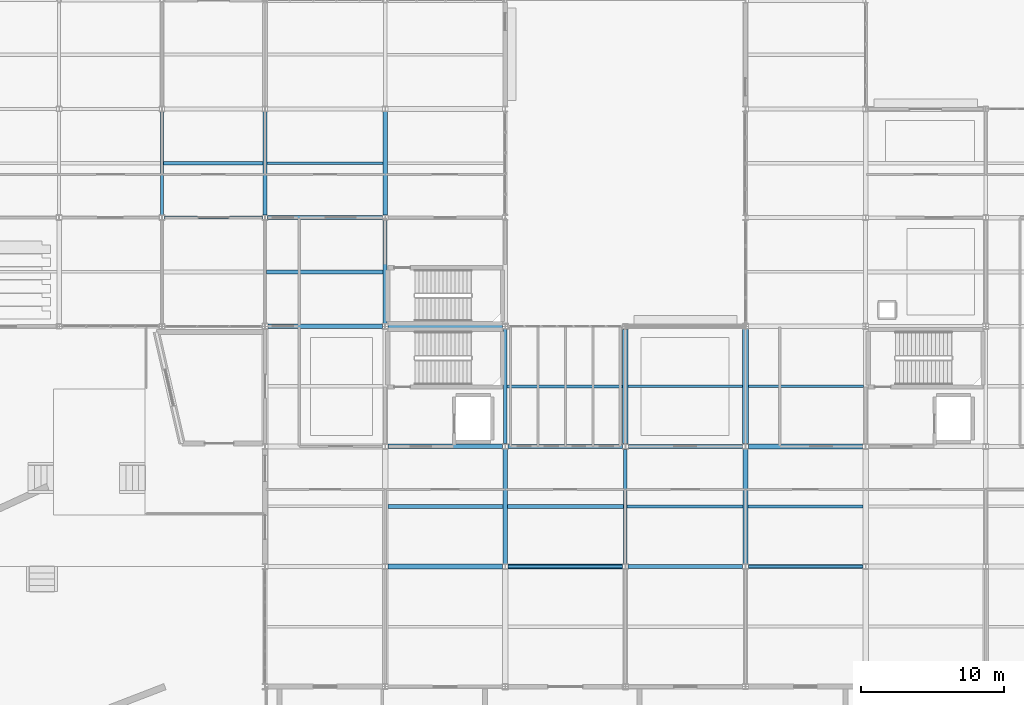
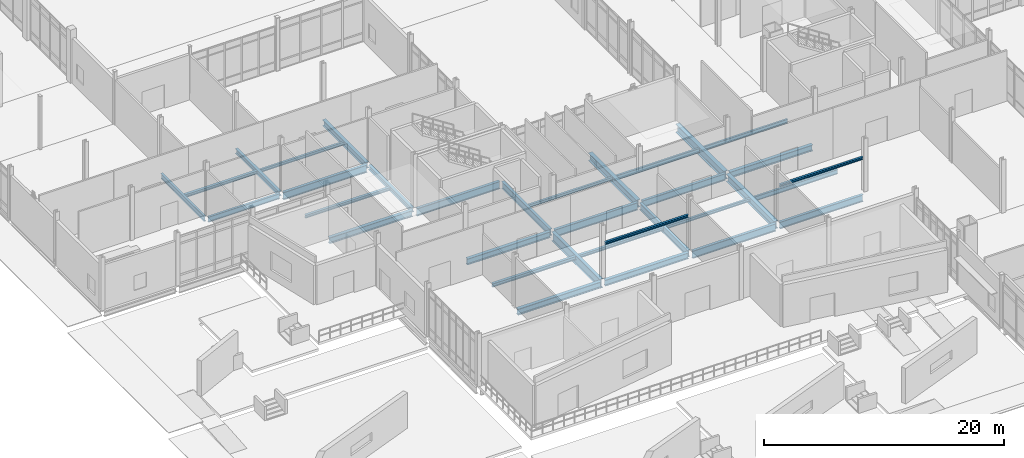
# One storey, part 30 of 229: 34 beams.
"""IFC4 building model written with IfcOpenShell, lengths in metres."""

from ifc_helpers import new_model, si_unit, direction, frame, origin, origin_2d, place, context, subcontext, project, spatial, i_section, extrude, material, material_profile, profile_set, type_object, element, save


model = new_model("IFC4")

# Units and contexts
model_context = context("Model", 3, precision=1e-05, world=origin(), true_north=direction((0.0, 1.0)))
body_context = subcontext(model_context, "Body", "Model", "MODEL_VIEW")
ifc_project = project(units=[si_unit("LENGTHUNIT", "METRE"), si_unit("AREAUNIT", "SQUARE_METRE"), si_unit("VOLUMEUNIT", "CUBIC_METRE"), si_unit("PLANEANGLEUNIT", "RADIAN"), si_unit("MASSUNIT", "GRAM", prefix="KILO")], contexts=[model_context])

# Site, building, storey
site_placement = place(None, origin())
site = spatial("IfcSite", under=ifc_project, at=site_placement, CompositionType="ELEMENT")
building_placement = place(site_placement, origin())
building = spatial("IfcBuilding", under=site, at=building_placement, Name="Calvrana Isthmian Art Gallery", CompositionType="ELEMENT")
storey_placement = place(building_placement, origin())
storey = spatial("IfcBuildingStorey", under=building, at=storey_placement, Name="L00", CompositionType="ELEMENT", Elevation=0.0)

# Beams
ifc_material = material(Name="Steel ASTM A992 Gr 50", Category="steel")
ifc_material_profile_1 = material_profile(ifc_material, i_section(OverallWidth=0.279052734375, OverallDepth=0.4619140625, WebThickness=0.0107421875, FlangeThickness=0.017333984375, FilletRadius=0.02001953125, at=origin_2d()), Name="W18X76")
ifc_profile_set_1 = profile_set([ifc_material_profile_1], Name="Steel ASTM A992 Gr 50")
beam_type_1 = type_object("IfcBeamType", Name="BM-G-W18X76", PredefinedType="BEAM", material=ifc_profile_set_1)
beam_1_placement = place(storey_placement, frame((21.60009765625, 54.577880859375, -0.51611328125), z_axis=(0.0, 1.0, 0.0), x_axis=(-1.0, 0.0, 0.0)))
element("IfcBeam", 1, at=beam_1_placement, inside=storey, type_object=beam_type_1, Name="Girder Y L00 04/H-I", PredefinedType="BEAM", context=body_context, shape_type="SweptSolid", body=[
    extrude(i_section(OverallWidth=0.279052734375, OverallDepth=0.4619140625, WebThickness=0.0107421875, FlangeThickness=0.017333984375, FilletRadius=0.02001953125, at=origin_2d()), origin(), (0.0, 0.0, 1.0), 7.24072265625),
])
beam_2_placement = place(storey_placement, frame((30.0, 47.0029296875, -0.51611328125), z_axis=(0.0, 1.0, 0.0), x_axis=(-1.0, 0.0, 0.0)))
element("IfcBeam", 2, at=beam_2_placement, inside=storey, type_object=beam_type_1, Name="Girder Y L00 05/G-H", PredefinedType="BEAM", context=body_context, shape_type="SweptSolid", body=[
    extrude(i_section(OverallWidth=0.279052734375, OverallDepth=0.4619140625, WebThickness=0.0107421875, FlangeThickness=0.017333984375, FilletRadius=0.02001953125, at=origin_2d()), origin(), (0.0, 0.0, 1.0), 7.21044921875),
])
ifc_material_profile_2 = material_profile(ifc_material, i_section(OverallWidth=0.208984375, OverallDepth=0.532958984375, WebThickness=0.01025390625, FlangeThickness=0.015625, FilletRadius=0.02099609375, at=origin_2d()), Name="W21X62")
ifc_profile_set_2 = profile_set([ifc_material_profile_2], Name="Steel ASTM A992 Gr 50")
beam_type_2 = type_object("IfcBeamType", Name="BM-G-W21X62", PredefinedType="BEAM", material=ifc_profile_set_2)
beam_3_placement = place(storey_placement, frame((14.58544921875, 54.39990234375, -0.551513671875), z_axis=(1.0, 0.0, 0.0), x_axis=(0.0, 1.0, 0.0)))
element("IfcBeam", 3, at=beam_3_placement, inside=storey, type_object=beam_type_2, Name="Girder X L00 03-04/H", PredefinedType="BEAM", context=body_context, shape_type="SweptSolid", body=[
    extrude(i_section(OverallWidth=0.208984375, OverallDepth=0.532958984375, WebThickness=0.01025390625, FlangeThickness=0.015625, FilletRadius=0.02099609375, at=origin_2d()), origin(), (0.0, 0.0, 1.0), 6.83056640625),
])
beam_4_placement = place(storey_placement, frame((14.39990234375, 54.58154296875, -0.551513671875), z_axis=(0.0, 1.0, 0.0), x_axis=(-1.0, 0.0, 0.0)))
element("IfcBeam", 4, at=beam_4_placement, inside=storey, type_object=beam_type_2, Name="Girder Y L00 03/H-I", PredefinedType="BEAM", context=body_context, shape_type="SweptSolid", body=[
    extrude(i_section(OverallWidth=0.208984375, OverallDepth=0.532958984375, WebThickness=0.01025390625, FlangeThickness=0.015625, FilletRadius=0.02099609375, at=origin_2d()), origin(), (0.0, 0.0, 1.0), 7.234375),
])
ifc_material_profile_3 = material_profile(ifc_material, i_section(OverallWidth=0.324951171875, OverallDepth=0.612060546875, WebThickness=0.0126953125, FlangeThickness=0.01904296875, FilletRadius=0.02197265625, at=origin_2d()), Name="W24X104")
ifc_profile_set_3 = profile_set([ifc_material_profile_3], Name="Steel ASTM A992 Gr 50")
beam_type_3 = type_object("IfcBeamType", Name="BM-G-W24X104", PredefinedType="BEAM", material=ifc_profile_set_3)
beam_5_placement = place(storey_placement, frame((38.599609375, 30.0, -0.591064453125), z_axis=(1.0, 0.0, 0.0), x_axis=(0.0, 1.0, 0.0)))
element("IfcBeam", 5, at=beam_5_placement, inside=storey, type_object=beam_type_3, Name="Girder X L00 06-07/E", PredefinedType="BEAM", context=body_context, shape_type="SweptSolid", body=[
    extrude(i_section(OverallWidth=0.324951171875, OverallDepth=0.612060546875, WebThickness=0.0126953125, FlangeThickness=0.01904296875, FilletRadius=0.02197265625, at=origin_2d()), origin(), (0.0, 0.0, 1.0), 8.00244140625),
])
beam_6_placement = place(storey_placement, frame((30.200439453125, 38.39990234375, -0.591064453125), z_axis=(1.0, 0.0, 0.0), x_axis=(0.0, 1.0, 0.0)))
element("IfcBeam", 6, at=beam_6_placement, inside=storey, type_object=beam_type_3, Name="Girder X L00 05-06/F", PredefinedType="BEAM", context=body_context, shape_type="SweptSolid", body=[
    extrude(i_section(OverallWidth=0.324951171875, OverallDepth=0.612060546875, WebThickness=0.0126953125, FlangeThickness=0.01904296875, FilletRadius=0.02197265625, at=origin_2d()), origin(), (0.0, 0.0, 1.0), 8.0),
])
beam_7_placement = place(storey_placement, frame((21.799560546875, 46.800048828125, -0.591064453125), z_axis=(1.0, 0.0, 0.0), x_axis=(0.0, 1.0, 0.0)))
element("IfcBeam", 7, at=beam_7_placement, inside=storey, type_object=beam_type_3, Name="Girder X L00 04-05/G", PredefinedType="BEAM", context=body_context, shape_type="SweptSolid", body=[
    extrude(i_section(OverallWidth=0.324951171875, OverallDepth=0.612060546875, WebThickness=0.0126953125, FlangeThickness=0.01904296875, FilletRadius=0.02197265625, at=origin_2d()), origin(), (0.0, 0.0, 1.0), 7.99853515625),
])
beam_8_placement = place(storey_placement, frame((30.0, 54.58642578125, -0.591064453125), z_axis=(0.0, 1.0, 0.0), x_axis=(-1.0, 0.0, 0.0)))
element("IfcBeam", 8, at=beam_8_placement, inside=storey, type_object=beam_type_3, Name="Girder Y L00 05/H-I", PredefinedType="BEAM", context=body_context, shape_type="SweptSolid", body=[
    extrude(i_section(OverallWidth=0.324951171875, OverallDepth=0.612060546875, WebThickness=0.0126953125, FlangeThickness=0.01904296875, FilletRadius=0.02197265625, at=origin_2d()), origin(), (0.0, 0.0, 1.0), 7.235595703125),
])
ifc_material_profile_4 = material_profile(ifc_material, i_section(OverallWidth=0.327880859375, OverallDepth=0.6220703125, WebThickness=0.015380859375, FlangeThickness=0.0244140625, FilletRadius=0.02197265625, at=origin_2d()), Name="W24X131")
ifc_profile_set_4 = profile_set([ifc_material_profile_4], Name="Steel ASTM A992 Gr 50")
beam_type_4 = type_object("IfcBeamType", Name="BM-G-W24X131", PredefinedType="BEAM", material=ifc_profile_set_4)
beam_9_placement = place(storey_placement, frame((30.1865234375, 30.0, -0.595947265625), z_axis=(1.0, 0.0, 0.0), x_axis=(0.0, 1.0, 0.0)))
element("IfcBeam", 9, at=beam_9_placement, inside=storey, type_object=beam_type_4, Name="Girder X L00 05-06/E", PredefinedType="BEAM", context=body_context, shape_type="SweptSolid", body=[
    extrude(i_section(OverallWidth=0.327880859375, OverallDepth=0.6220703125, WebThickness=0.015380859375, FlangeThickness=0.0244140625, FilletRadius=0.02197265625, at=origin_2d()), origin(), (0.0, 0.0, 1.0), 8.013916015625),
])
beam_10_placement = place(storey_placement, frame((55.3994140625, 38.39990234375, -0.595947265625), z_axis=(1.0, 0.0, 0.0), x_axis=(0.0, 1.0, 0.0)))
element("IfcBeam", 10, at=beam_10_placement, inside=storey, type_object=beam_type_4, Name="Girder X L00 08-09/F", PredefinedType="BEAM", context=body_context, shape_type="SweptSolid", body=[
    extrude(i_section(OverallWidth=0.327880859375, OverallDepth=0.6220703125, WebThickness=0.015380859375, FlangeThickness=0.0244140625, FilletRadius=0.02197265625, at=origin_2d()), origin(), (0.0, 0.0, 1.0), 7.99755859375),
])
ifc_material_profile_5 = material_profile(ifc_material, i_section(OverallWidth=0.257080078125, OverallDepth=0.693115234375, WebThickness=0.014404296875, FlangeThickness=0.023681640625, FilletRadius=0.02392578125, at=origin_2d()), Name="W27X114")
ifc_profile_set_5 = profile_set([ifc_material_profile_5], Name="Steel ASTM A992 Gr 50")
beam_type_5 = type_object("IfcBeamType", Name="BM-G-W27X114", PredefinedType="BEAM", material=ifc_profile_set_5)
for number, where, z_axis, x_axis, name in (
    (11, (55.3994140625, 30.0, -0.631591796875), (1.0, 0.0, 0.0), (0.0, 1.0, 0.0), "Girder X L00 08-09/E"),
    (12, (47.001953125, 38.39990234375, -0.631591796875), (1.0, 0.0, 0.0), (0.0, 1.0, 0.0), "Girder X L00 07-08/F"),
):
    element("IfcBeam", number, at=place(storey_placement, frame(where, z_axis=z_axis, x_axis=x_axis)), inside=storey, type_object=beam_type_5, Name=name, PredefinedType="BEAM", context=body_context, shape_type="SweptSolid", body=[
        extrude(i_section(OverallWidth=0.257080078125, OverallDepth=0.693115234375, WebThickness=0.014404296875, FlangeThickness=0.023681640625, FilletRadius=0.02392578125, at=origin_2d()), origin(), (0.0, 0.0, 1.0), 7.99853515625),
    ])
beam_11_placement = place(storey_placement, frame((38.39990234375, 38.593017578125, -0.631591796875), z_axis=(0.0, 1.0, 0.0), x_axis=(-1.0, 0.0, 0.0)))
element("IfcBeam", 13, at=beam_11_placement, inside=storey, type_object=beam_type_5, Name="Girder Y L00 06/F-G", PredefinedType="BEAM", context=body_context, shape_type="SweptSolid", body=[
    extrude(i_section(OverallWidth=0.257080078125, OverallDepth=0.693115234375, WebThickness=0.014404296875, FlangeThickness=0.023681640625, FilletRadius=0.02392578125, at=origin_2d()), origin(), (0.0, 0.0, 1.0), 8.010009765625),
])
beam_12_placement = place(storey_placement, frame((46.800048828125, 30.1904296875, -0.631591796875), z_axis=(0.0, 1.0, 0.0), x_axis=(-1.0, 0.0, 0.0)))
element("IfcBeam", 14, at=beam_12_placement, inside=storey, type_object=beam_type_5, Name="Girder Y L00 07/E-F", PredefinedType="BEAM", context=body_context, shape_type="SweptSolid", body=[
    extrude(i_section(OverallWidth=0.257080078125, OverallDepth=0.693115234375, WebThickness=0.014404296875, FlangeThickness=0.023681640625, FilletRadius=0.02392578125, at=origin_2d()), origin(), (0.0, 0.0, 1.0), 8.006591796875),
])
ifc_material_profile_6 = material_profile(ifc_material, i_section(OverallWidth=0.26708984375, OverallDepth=0.761962890625, WebThickness=0.014404296875, FlangeThickness=0.021484375, FilletRadius=0.02490234375, at=origin_2d()), Name="W30X116")
ifc_profile_set_6 = profile_set([ifc_material_profile_6], Name="Steel ASTM A992 Gr 50")
beam_type_6 = type_object("IfcBeamType", Name="BM-G-W30X116", PredefinedType="BEAM", material=ifc_profile_set_6)
beam_13_placement = place(storey_placement, frame((46.998046875, 30.0, -0.666015625), z_axis=(1.0, 0.0, 0.0), x_axis=(0.0, 1.0, 0.0)))
element("IfcBeam", 15, at=beam_13_placement, inside=storey, type_object=beam_type_6, Name="Girder X L00 07-08/E", PredefinedType="BEAM", context=body_context, shape_type="SweptSolid", body=[
    extrude(i_section(OverallWidth=0.26708984375, OverallDepth=0.761962890625, WebThickness=0.014404296875, FlangeThickness=0.021484375, FilletRadius=0.02490234375, at=origin_2d()), origin(), (0.0, 0.0, 1.0), 8.00244140625),
])
beam_14_placement = place(storey_placement, frame((38.599609375, 38.39990234375, -0.666015625), z_axis=(1.0, 0.0, 0.0), x_axis=(0.0, 1.0, 0.0)))
element("IfcBeam", 16, at=beam_14_placement, inside=storey, type_object=beam_type_6, Name="Girder X L00 06-07/F", PredefinedType="BEAM", context=body_context, shape_type="SweptSolid", body=[
    extrude(i_section(OverallWidth=0.26708984375, OverallDepth=0.761962890625, WebThickness=0.014404296875, FlangeThickness=0.021484375, FilletRadius=0.02490234375, at=origin_2d()), origin(), (0.0, 0.0, 1.0), 7.998291015625),
])
beam_15_placement = place(storey_placement, frame((30.201904296875, 46.800048828125, -0.666015625), z_axis=(1.0, 0.0, 0.0), x_axis=(0.0, 1.0, 0.0)))
element("IfcBeam", 17, at=beam_15_placement, inside=storey, type_object=beam_type_6, Name="Girder X L00 05-06/G", PredefinedType="BEAM", context=body_context, shape_type="SweptSolid", body=[
    extrude(i_section(OverallWidth=0.26708984375, OverallDepth=0.761962890625, WebThickness=0.014404296875, FlangeThickness=0.021484375, FilletRadius=0.02490234375, at=origin_2d()), origin(), (0.0, 0.0, 1.0), 7.99853515625),
])
beam_16_placement = place(storey_placement, frame((21.783935546875, 54.39990234375, -0.666015625), z_axis=(1.0, 0.0, 0.0), x_axis=(0.0, 1.0, 0.0)))
element("IfcBeam", 18, at=beam_16_placement, inside=storey, type_object=beam_type_6, Name="Girder X L00 04-05/H", PredefinedType="BEAM", context=body_context, shape_type="SweptSolid", body=[
    extrude(i_section(OverallWidth=0.26708984375, OverallDepth=0.761962890625, WebThickness=0.014404296875, FlangeThickness=0.021484375, FilletRadius=0.02490234375, at=origin_2d()), origin(), (0.0, 0.0, 1.0), 8.029541015625),
])
ifc_material_profile_7 = material_profile(ifc_material, i_section(OverallWidth=0.381103515625, OverallDepth=0.77197265625, WebThickness=0.0166015625, FlangeThickness=0.027099609375, FilletRadius=0.02490234375, at=origin_2d()), Name="W30X173")
ifc_profile_set_7 = profile_set([ifc_material_profile_7], Name="Steel ASTM A992 Gr 50")
beam_type_7 = type_object("IfcBeamType", Name="BM-G-W30X173", PredefinedType="BEAM", material=ifc_profile_set_7)
beam_17_placement = place(storey_placement, frame((46.800048828125, 38.60302734375, -0.6708984375), z_axis=(0.0, 1.0, 0.0), x_axis=(-1.0, 0.0, 0.0)))
element("IfcBeam", 19, at=beam_17_placement, inside=storey, type_object=beam_type_7, Name="Girder Y L00 07/F-G", PredefinedType="BEAM", context=body_context, shape_type="SweptSolid", body=[
    extrude(i_section(OverallWidth=0.381103515625, OverallDepth=0.77197265625, WebThickness=0.0166015625, FlangeThickness=0.027099609375, FilletRadius=0.02490234375, at=origin_2d()), origin(), (0.0, 0.0, 1.0), 7.988525390625),
])
beam_18_placement = place(storey_placement, frame((55.199951171875, 30.193115234375, -0.6708984375), z_axis=(0.0, 1.0, 0.0), x_axis=(-1.0, 0.0, 0.0)))
element("IfcBeam", 20, at=beam_18_placement, inside=storey, type_object=beam_type_7, Name="Girder Y L00 08/E-F", PredefinedType="BEAM", context=body_context, shape_type="SweptSolid", body=[
    extrude(i_section(OverallWidth=0.381103515625, OverallDepth=0.77197265625, WebThickness=0.0166015625, FlangeThickness=0.027099609375, FilletRadius=0.02490234375, at=origin_2d()), origin(), (0.0, 0.0, 1.0), 8.009765625),
])
ifc_material_profile_8 = material_profile(ifc_material, i_section(OverallWidth=0.40087890625, OverallDepth=0.85595703125, WebThickness=0.018310546875, FlangeThickness=0.029296875, FilletRadius=0.02587890625, at=origin_2d()), Name="W33X201")
ifc_profile_set_8 = profile_set([ifc_material_profile_8], Name="Steel ASTM A992 Gr 50")
beam_type_8 = type_object("IfcBeamType", Name="BM-G-W33X201", PredefinedType="BEAM", material=ifc_profile_set_8)
beam_19_placement = place(storey_placement, frame((55.199951171875, 38.596923828125, -0.712890625), z_axis=(0.0, 1.0, 0.0), x_axis=(-1.0, 0.0, 0.0)))
element("IfcBeam", 21, at=beam_19_placement, inside=storey, type_object=beam_type_8, Name="Girder Y L00 08/F-G", PredefinedType="BEAM", context=body_context, shape_type="SweptSolid", body=[
    extrude(i_section(OverallWidth=0.40087890625, OverallDepth=0.85595703125, WebThickness=0.018310546875, FlangeThickness=0.029296875, FilletRadius=0.02587890625, at=origin_2d()), origin(), (0.0, 0.0, 1.0), 8.003662109375),
])
ifc_material_profile_9 = material_profile(ifc_material, i_section(OverallWidth=0.306884765625, OverallDepth=0.927001953125, WebThickness=0.019287109375, FlangeThickness=0.031982421875, FilletRadius=0.028076171875, at=origin_2d()), Name="W36X194")
ifc_profile_set_9 = profile_set([ifc_material_profile_9], Name="Steel ASTM A992 Gr 50")
beam_type_9 = type_object("IfcBeamType", Name="BM-G-W36X194", PredefinedType="BEAM", material=ifc_profile_set_9)
beam_20_placement = place(storey_placement, frame((38.39990234375, 30.193115234375, -0.74853515625), z_axis=(0.0, 1.0, 0.0), x_axis=(-1.0, 0.0, 0.0)))
element("IfcBeam", 22, at=beam_20_placement, inside=storey, type_object=beam_type_9, Name="Girder Y L00 06/E-F", PredefinedType="BEAM", context=body_context, shape_type="SweptSolid", body=[
    extrude(i_section(OverallWidth=0.306884765625, OverallDepth=0.927001953125, WebThickness=0.019287109375, FlangeThickness=0.031982421875, FilletRadius=0.028076171875, at=origin_2d()), origin(), (0.0, 0.0, 1.0), 8.013916015625),
])
ifc_material_profile_10 = material_profile(ifc_material, i_section(OverallWidth=0.202880859375, OverallDepth=0.302001953125, WebThickness=0.007568359375, FlangeThickness=0.01318359375, FilletRadius=0.01611328125, at=origin_2d()), Name="W12X40")
ifc_profile_set_10 = profile_set([ifc_material_profile_10], Name="Steel ASTM A992 Gr 50")
beam_type_10 = type_object("IfcBeamType", Name="BM-J-W12X40", PredefinedType="JOIST", material=ifc_profile_set_10)
beam_21_placement = place(storey_placement, frame((21.739501953125, 58.199951171875, -0.43603515625), z_axis=(1.0, 0.0, 0.0), x_axis=(0.0, 1.0, 0.0)))
element("IfcBeam", 23, at=beam_21_placement, inside=storey, type_object=beam_type_10, Name="Composite joist L00 bay 03-07", PredefinedType="JOIST", context=body_context, shape_type="SweptSolid", body=[
    extrude(i_section(OverallWidth=0.202880859375, OverallDepth=0.302001953125, WebThickness=0.007568359375, FlangeThickness=0.01318359375, FilletRadius=0.01611328125, at=origin_2d()), origin(), (0.0, 0.0, 1.0), 8.097900390625),
])
for number, where, z_axis, x_axis, name in (
    (24, (38.528564453125, 42.60009765625, -0.43603515625), (1.0, 0.0, 0.0), (0.0, 1.0, 0.0), "Composite joist L00 bay 05-05"),
    (25, (46.928466796875, 34.199951171875, -0.43603515625), (1.0, 0.0, 0.0), (0.0, 1.0, 0.0), "Composite joist L00 bay 06-04"),
):
    element("IfcBeam", number, at=place(storey_placement, frame(where, z_axis=z_axis, x_axis=x_axis)), inside=storey, type_object=beam_type_10, Name=name, PredefinedType="JOIST", context=body_context, shape_type="SweptSolid", body=[
        extrude(i_section(OverallWidth=0.202880859375, OverallDepth=0.302001953125, WebThickness=0.007568359375, FlangeThickness=0.01318359375, FilletRadius=0.01611328125, at=origin_2d()), origin(), (0.0, 0.0, 1.0), 8.0810546875),
    ])
ifc_material_profile_11 = material_profile(ifc_material, i_section(OverallWidth=0.25390625, OverallDepth=0.306884765625, WebThickness=0.0087890625, FlangeThickness=0.0146484375, FilletRadius=0.01611328125, at=origin_2d()), Name="W12X53")
ifc_profile_set_11 = profile_set([ifc_material_profile_11], Name="Steel ASTM A992 Gr 50")
beam_type_11 = type_object("IfcBeamType", Name="BM-J-W12X53", PredefinedType="JOIST", material=ifc_profile_set_11)
beam_22_placement = place(storey_placement, frame((14.50439453125, 58.199951171875, -0.4384765625), z_axis=(1.0, 0.0, 0.0), x_axis=(0.0, 1.0, 0.0)))
element("IfcBeam", 26, at=beam_22_placement, inside=storey, type_object=beam_type_11, Name="Composite joist L00 bay 02-07", PredefinedType="JOIST", context=body_context, shape_type="SweptSolid", body=[
    extrude(i_section(OverallWidth=0.25390625, OverallDepth=0.306884765625, WebThickness=0.0087890625, FlangeThickness=0.0146484375, FilletRadius=0.01611328125, at=origin_2d()), origin(), (0.0, 0.0, 1.0), 6.9560546875),
])
beam_23_placement = place(storey_placement, frame((21.70458984375, 50.60009765625, -0.4384765625), z_axis=(1.0, 0.0, 0.0), x_axis=(0.0, 1.0, 0.0)))
element("IfcBeam", 27, at=beam_23_placement, inside=storey, type_object=beam_type_11, Name="Composite joist L00 bay 03-06", PredefinedType="JOIST", context=body_context, shape_type="SweptSolid", body=[
    extrude(i_section(OverallWidth=0.25390625, OverallDepth=0.306884765625, WebThickness=0.0087890625, FlangeThickness=0.0146484375, FilletRadius=0.01611328125, at=origin_2d()), origin(), (0.0, 0.0, 1.0), 8.156005859375),
])
beam_24_placement = place(storey_placement, frame((38.553466796875, 34.199951171875, -0.4384765625), z_axis=(1.0, 0.0, 0.0), x_axis=(0.0, 1.0, 0.0)))
element("IfcBeam", 28, at=beam_24_placement, inside=storey, type_object=beam_type_11, Name="Composite joist L00 bay 05-04", PredefinedType="JOIST", context=body_context, shape_type="SweptSolid", body=[
    extrude(i_section(OverallWidth=0.25390625, OverallDepth=0.306884765625, WebThickness=0.0087890625, FlangeThickness=0.0146484375, FilletRadius=0.01611328125, at=origin_2d()), origin(), (0.0, 0.0, 1.0), 8.117919921875),
])
ifc_material_profile_12 = material_profile(ifc_material, i_section(OverallWidth=0.25390625, OverallDepth=0.35302734375, WebThickness=0.009521484375, FlangeThickness=0.016357421875, FilletRadius=0.01806640625, at=origin_2d()), Name="W14X61")
ifc_profile_set_12 = profile_set([ifc_material_profile_12], Name="Steel ASTM A992 Gr 50")
beam_type_12 = type_object("IfcBeamType", Name="BM-J-W14X61", PredefinedType="JOIST", material=ifc_profile_set_12)
beam_25_placement = place(storey_placement, frame((30.200439453125, 34.199951171875, -0.46142578125), z_axis=(1.0, 0.0, 0.0), x_axis=(0.0, 1.0, 0.0)))
element("IfcBeam", 29, at=beam_25_placement, inside=storey, type_object=beam_type_12, Name="Composite joist L00 bay 04-04", PredefinedType="JOIST", context=body_context, shape_type="SweptSolid", body=[
    extrude(i_section(OverallWidth=0.25390625, OverallDepth=0.35302734375, WebThickness=0.009521484375, FlangeThickness=0.016357421875, FilletRadius=0.01806640625, at=origin_2d()), origin(), (0.0, 0.0, 1.0), 8.046142578125),
])
ifc_material_profile_13 = material_profile(ifc_material, i_section(OverallWidth=0.179931640625, OverallDepth=0.4140625, WebThickness=0.009765625, FlangeThickness=0.01611328125, FilletRadius=0.01806640625, at=origin_2d()), Name="W16X50")
ifc_profile_set_13 = profile_set([ifc_material_profile_13], Name="Steel ASTM A992 Gr 50")
beam_type_13 = type_object("IfcBeamType", Name="BM-J-W16X50", PredefinedType="JOIST", material=ifc_profile_set_13)
beam_26_placement = place(storey_placement, frame((55.400390625, 42.60009765625, -0.491943359375), z_axis=(1.0, 0.0, 0.0), x_axis=(0.0, 1.0, 0.0)))
element("IfcBeam", 30, at=beam_26_placement, inside=storey, type_object=beam_type_13, Name="Composite joist L00 bay 07-05", PredefinedType="JOIST", context=body_context, shape_type="SweptSolid", body=[
    extrude(i_section(OverallWidth=0.179931640625, OverallDepth=0.4140625, WebThickness=0.009765625, FlangeThickness=0.01611328125, FilletRadius=0.01806640625, at=origin_2d()), origin(), (0.0, 0.0, 1.0), 8.046142578125),
])
ifc_material_profile_14 = material_profile(ifc_material, i_section(OverallWidth=0.19091796875, OverallDepth=0.45703125, WebThickness=0.009033203125, FlangeThickness=0.014404296875, FilletRadius=0.02001953125, at=origin_2d()), Name="W18X50")
ifc_profile_set_14 = profile_set([ifc_material_profile_14], Name="Steel ASTM A992 Gr 50")
beam_type_14 = type_object("IfcBeamType", Name="BM-J-W18X50", PredefinedType="JOIST", material=ifc_profile_set_14)
for number, where, z_axis, x_axis, name in (
    (31, (46.990478515625, 42.60009765625, -0.513427734375), (1.0, 0.0, 0.0), (0.0, 1.0, 0.0), "Composite joist L00 bay 06-05"),
    (32, (55.390380859375, 34.199951171875, -0.513427734375), (1.0, 0.0, 0.0), (0.0, 1.0, 0.0), "Composite joist L00 bay 07-04"),
):
    element("IfcBeam", number, at=place(storey_placement, frame(where, z_axis=z_axis, x_axis=x_axis)), inside=storey, type_object=beam_type_14, Name=name, PredefinedType="JOIST", context=body_context, shape_type="SweptSolid", body=[
        extrude(i_section(OverallWidth=0.19091796875, OverallDepth=0.45703125, WebThickness=0.009033203125, FlangeThickness=0.014404296875, FilletRadius=0.02001953125, at=origin_2d()), origin(), (0.0, 0.0, 1.0), 8.009033203125),
    ])
ifc_material_profile_15 = material_profile(ifc_material, i_section(OverallWidth=0.201904296875, OverallDepth=0.2470703125, WebThickness=0.00732421875, FlangeThickness=0.010986328125, FilletRadius=0.014892578125, at=origin_2d()), Name="W10X33")
ifc_profile_set_15 = profile_set([ifc_material_profile_15], Name="Steel ASTM A992 Gr 50")
beam_type_15 = type_object("IfcBeamType", Name="BM-LN-W10X33", PredefinedType="LINTEL", material=ifc_profile_set_15)
beam_27_placement = place(storey_placement, frame((55.39794921875, 30.0, 3.39990234375), z_axis=(1.0, 0.0, 0.0), x_axis=(0.0, 1.0, 0.0)))
element("IfcBeam", 33, at=beam_27_placement, inside=storey, type_object=beam_type_15, Name="Portal lintel beam L00-02", PredefinedType="LINTEL", context=body_context, shape_type="SweptSolid", body=[
    extrude(i_section(OverallWidth=0.201904296875, OverallDepth=0.2470703125, WebThickness=0.00732421875, FlangeThickness=0.010986328125, FilletRadius=0.014892578125, at=origin_2d()), origin(), (0.0, 0.0, 1.0), 8.005126953125),
])
ifc_material_profile_16 = material_profile(ifc_material, i_section(OverallWidth=0.2041015625, OverallDepth=0.257080078125, WebThickness=0.0087890625, FlangeThickness=0.015625, FilletRadius=0.014892578125, at=origin_2d()), Name="W10X45")
ifc_profile_set_16 = profile_set([ifc_material_profile_16], Name="Steel ASTM A992 Gr 50")
beam_type_16 = type_object("IfcBeamType", Name="BM-LN-W10X45", PredefinedType="LINTEL", material=ifc_profile_set_16)
beam_28_placement = place(storey_placement, frame((38.58642578125, 30.0, 3.39990234375), z_axis=(1.0, 0.0, 0.0), x_axis=(0.0, 1.0, 0.0)))
element("IfcBeam", 34, at=beam_28_placement, inside=storey, type_object=beam_type_16, Name="Portal lintel beam L00-01", PredefinedType="LINTEL", context=body_context, shape_type="SweptSolid", body=[
    extrude(i_section(OverallWidth=0.2041015625, OverallDepth=0.257080078125, WebThickness=0.0087890625, FlangeThickness=0.015625, FilletRadius=0.014892578125, at=origin_2d()), origin(), (0.0, 0.0, 1.0), 8.01416015625),
])

save(model, "model.ifc")
